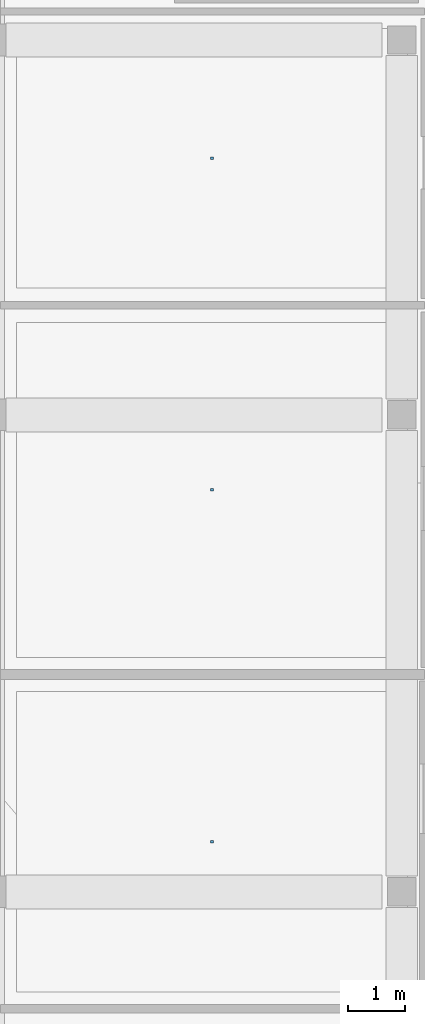
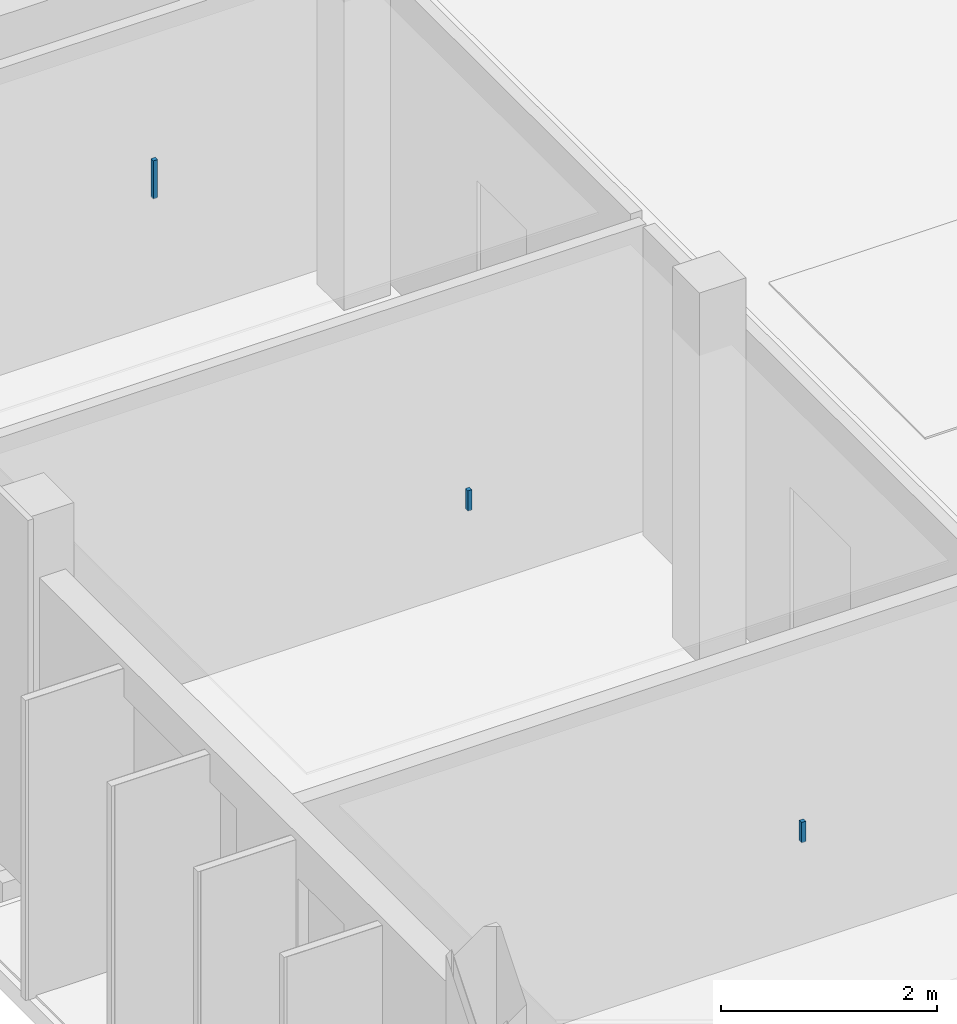
# One storey, part 61 of 85: 3 discrete accessories.
"""IFC4 building model written with IfcOpenShell, lengths in metres."""

import ifcopenshell
import ifcopenshell.guid

model = None  # the IFC model being written
_history = None  # IfcOwnerHistory: only IFC2X3 demands one
_inside = {}  # id of a spatial element -> (the spatial element, [elements in it])
_under = {}  # id of a project, library or spatial element -> (it, [spatial elements below it])
_declared = {}  # id of a project -> (the project, [libraries it declares])
_typed = {}  # id of a type object -> (the type object, [elements of that type])
_made_of = {}  # id of a material, layer set ... -> (it, [elements and type objects made of it])


def new_model(schema):
    """Start an empty IFC model of exactly this schema.

    Asked for "IFC4X3", IfcOpenShell would pick the latest addendum, in which some entities
    have other attributes; the version numbers below select the first issue.
    IFC2X3 requires an IfcOwnerHistory on every rooted entity: one is made here for all.
    """
    global model, _history
    if schema == "IFC4X3":
        model = ifcopenshell.file(schema_version=(4, 3, 0, 0))
    else:
        model = ifcopenshell.file(schema=schema)
    _inside.clear()
    _under.clear()
    _declared.clear()
    _typed.clear()
    _made_of.clear()
    _history = None
    if model.schema == "IFC2X3":
        org = make("IfcOrganization", Name="unknown")
        user = make(
            "IfcPersonAndOrganization",
            ThePerson=make("IfcPerson", FamilyName="unknown"),
            TheOrganization=org,
        )
        app = make(
            "IfcApplication",
            ApplicationDeveloper=org,
            Version="unknown",
            ApplicationFullName="unknown",
            ApplicationIdentifier="unknown",
        )
        _history = make(
            "IfcOwnerHistory",
            OwningUser=user,
            OwningApplication=app,
            ChangeAction="ADDED",
            CreationDate=0,
        )
    return model


def make(cls, **values):
    """One entity of the class cls with the attributes given. An attribute that is None is left unset."""
    return model.create_entity(
        cls, **{name: value for name, value in values.items() if value is not None}
    )


def rooted(cls, **values):
    """An entity with a GlobalId (a new one), such as an element, a storey or a relation."""
    return make(cls, GlobalId=ifcopenshell.guid.new(), OwnerHistory=_history, **values)


def si_unit(unit_type, name, prefix=None):
    """IfcSIUnit, for example si_unit("LENGTHUNIT", "METRE", prefix="MILLI")."""
    return make("IfcSIUnit", UnitType=unit_type, Prefix=prefix, Name=name)


def derived_unit(unit_type, elements):
    """IfcDerivedUnit: a product of units, each with its exponent."""
    return make(
        "IfcDerivedUnit",
        Elements=[
            make("IfcDerivedUnitElement", Unit=unit, Exponent=power)
            for unit, power in elements
        ],
        UnitType=unit_type,
    )


def assignment(units):
    """IfcUnitAssignment: the units of a project."""
    return None if units is None else make("IfcUnitAssignment", Units=units)


def point(xyz):
    """IfcCartesianPoint."""
    return None if xyz is None else make("IfcCartesianPoint", Coordinates=xyz)


def direction(xyz):
    """IfcDirection."""
    return None if xyz is None else make("IfcDirection", DirectionRatios=xyz)


def frame(location, z_axis=None, x_axis=None):
    """IfcAxis2Placement3D, a coordinate frame: its origin and axes. An axis left out is left unset."""
    return make(
        "IfcAxis2Placement3D",
        Location=point(location),
        Axis=direction(z_axis),
        RefDirection=direction(x_axis),
    )


def frame_2d(location, x_axis=None):
    """IfcAxis2Placement2D, a coordinate frame in the plane: its origin and x axis."""
    return make(
        "IfcAxis2Placement2D", Location=point(location), RefDirection=direction(x_axis)
    )


def origin():
    """The frame at (0, 0, 0) with its axes left unset."""
    return frame((0.0, 0.0, 0.0))


def origin_2d():
    """The frame at (0, 0) in the plane with its x axis left unset."""
    return frame_2d((0.0, 0.0))


def place(relative_to, where):
    """IfcLocalPlacement: puts the frame where relative to a parent placement (None: the world)."""
    return make(
        "IfcLocalPlacement", PlacementRelTo=relative_to, RelativePlacement=where
    )


def context(
    kind, dimensions, precision=None, world=None, true_north=None, identifier=None
):
    """IfcGeometricRepresentationContext, for example the 3D "Model" context."""
    return make(
        "IfcGeometricRepresentationContext",
        ContextIdentifier=identifier,
        ContextType=kind,
        CoordinateSpaceDimension=dimensions,
        Precision=precision,
        WorldCoordinateSystem=world,
        TrueNorth=true_north,
    )


def subcontext(parent, identifier, kind, view, scale=None):
    """IfcGeometricRepresentationSubContext, for example "Body" below "Model"."""
    return make(
        "IfcGeometricRepresentationSubContext",
        ContextIdentifier=identifier,
        ContextType=kind,
        ParentContext=parent,
        TargetScale=scale,
        TargetView=view,
    )


def project(units=None, contexts=None):
    """IfcProject with its units and contexts."""
    return rooted(
        "IfcProject",
        Name="project",
        RepresentationContexts=contexts,
        UnitsInContext=assignment(units),
    )


def spatial(cls, under=None, at=None, **own):
    """A site, building, storey or space (cls), placed at a placement, below another one or the project."""
    s = rooted(cls, ObjectPlacement=at, **own)
    if under is not None:
        _under.setdefault(under.id(), (under, []))[1].append(s)
    return s


def profile(cls, at=None, kind="AREA", **sizes):
    """A parametric profile (cls). Its sizes go by their IFC names, for example OverallWidth=200.0."""
    return make(cls, ProfileType=kind, Position=at, **sizes)


def rectangle(**sizes):
    """IfcRectangleProfileDef."""
    return profile("IfcRectangleProfileDef", **sizes)


def extrude(swept, where, along, depth):
    """IfcExtrudedAreaSolid: the profile swept, set in the frame where, extruded along a direction by depth."""
    return make(
        "IfcExtrudedAreaSolid",
        SweptArea=swept,
        Position=where,
        ExtrudedDirection=direction(along),
        Depth=depth,
    )


def shape(context_of_items, identifier, shape_type, items):
    """IfcShapeRepresentation: the items that make up one representation, for example the "Body"."""
    return make(
        "IfcShapeRepresentation",
        ContextOfItems=context_of_items,
        RepresentationIdentifier=identifier,
        RepresentationType=shape_type,
        Items=items,
    )


def material(Name=None, Category=None):
    """IfcMaterial."""
    return make("IfcMaterial", Name=Name, Category=Category)


def made_of(thing, what):
    """Note that an element or type object is made of a material, layer set ...; save() writes the relation."""
    if what is not None:
        _made_of.setdefault(what.id(), (what, []))[1].append(thing)
    return thing


def type_object(cls, material=None, **own):
    """A type object (cls), such as IfcWallType, which elements share."""
    return made_of(rooted(cls, **own), material)


def element(
    cls,
    number,
    at=None,
    inside=None,
    cuts=None,
    type_object=None,
    material=None,
    context=None,
    identifier="Body",
    shape_type=None,
    held_by="IfcProductDefinitionShape",
    body=None,
    shapes=None,
    **own,
):
    """One element of the class cls, such as IfcWall. Its Tag is "e" and its number.

    at: its placement. inside: the storey or other place that contains it. cuts: it is an
    opening in that element (IfcRelVoidsElement). A single representation is given by context,
    identifier, shape_type and body (its items); several are given by shapes. held_by: the class
    of the entity that holds the representations. save() writes the other relations.
    """
    e = rooted(cls, Tag="e%d" % number, ObjectPlacement=at, **own)
    if body is not None:
        shapes = [shape(context, identifier, shape_type, body)]
    if shapes is not None:
        e.Representation = make(held_by, Representations=shapes)
    if inside is not None:
        _inside.setdefault(inside.id(), (inside, []))[1].append(e)
    if cuts is not None:
        rooted(
            "IfcRelVoidsElement", RelatingBuildingElement=cuts, RelatedOpeningElement=e
        )
    if type_object is not None:
        _typed.setdefault(type_object.id(), (type_object, []))[1].append(e)
    return made_of(e, material)


def aggregate(whole, parts):
    """IfcRelAggregates: a whole, such as a stair, and the parts it consists of."""
    return rooted("IfcRelAggregates", RelatingObject=whole, RelatedObjects=parts)


def save(model, path):
    """Write the relations noted so far, then the file.

    IfcRelAggregates (storeys below a building ...), IfcRelContainedInSpatialStructure (elements
    in a storey), IfcRelDefinesByType, IfcRelAssociatesMaterial and IfcRelDeclares: one each for
    every whole, place, type object, material and project.
    """
    for whole, parts in _under.values():
        aggregate(whole, parts)
    for where, things in _inside.values():
        rooted(
            "IfcRelContainedInSpatialStructure",
            RelatedElements=things,
            RelatingStructure=where,
        )
    for kind, things in _typed.values():
        rooted("IfcRelDefinesByType", RelatedObjects=things, RelatingType=kind)
    for what, things in _made_of.values():
        rooted("IfcRelAssociatesMaterial", RelatedObjects=things, RelatingMaterial=what)
    for by, libraries in _declared.values():
        rooted("IfcRelDeclares", RelatingContext=by, RelatedDefinitions=libraries)
    model.write(path)


model = new_model("IFC4")

# Units and contexts
model_context = context("Model", 3, precision=1e-05, world=origin(), true_north=direction((0.0, 1.0)))
body_context = subcontext(model_context, "Body", "Model", "MODEL_VIEW")
ifc_project = project(units=[si_unit("LENGTHUNIT", "METRE"), si_unit("AREAUNIT", "SQUARE_METRE"), si_unit("VOLUMEUNIT", "CUBIC_METRE"), si_unit("PLANEANGLEUNIT", "RADIAN"), si_unit("MASSUNIT", "GRAM", prefix="KILO"), derived_unit("THERMALTRANSMITTANCEUNIT", [(si_unit("POWERUNIT", "WATT"), 1), (si_unit("LENGTHUNIT", "METRE"), -2), (si_unit("THERMODYNAMICTEMPERATUREUNIT", "KELVIN"), -1)])], contexts=[model_context])

# Site, building, storey
site_placement = place(None, origin())
site = spatial("IfcSite", under=ifc_project, at=site_placement, CompositionType="ELEMENT")
building_placement = place(site_placement, origin())
building = spatial("IfcBuilding", under=site, at=building_placement, Name="Braskholm Square Health Centre", CompositionType="ELEMENT")
storey_placement = place(building_placement, frame((0.0, 0.0, 9.300048828125)))
storey = spatial("IfcBuildingStorey", under=building, at=storey_placement, Name="L03", CompositionType="ELEMENT", Elevation=9.300048828125)

# Discrete accessories
ifc_material = material(Name="Steel ASTM A500 Grade C", Category="steel")
discrete_accessory_type = type_object("IfcDiscreteAccessoryType", Name="CeilingSuspensionBracket", PredefinedType="BRACKET", material=ifc_material)
for number, where, z_axis, x_axis, name in (
    (1, (8.06005859375, 73.0849609375, 3.48193359375), (0.0, 0.0, 1.0), (1.0, 0.0, 0.0), "Ceiling hanger bracket 0049"),
    (2, (8.06005859375, 79.280029296875, 3.48193359375), (0.0, 0.0, 1.0), (1.0, 0.0, 0.0), "Ceiling hanger bracket 0050"),
):
    element("IfcDiscreteAccessory", number, at=place(storey_placement, frame(where, z_axis=z_axis, x_axis=x_axis)), inside=storey, type_object=discrete_accessory_type, Name=name, PredefinedType="BRACKET", context=body_context, shape_type="SweptSolid", body=[
        extrude(rectangle(XDim=0.044921875, YDim=0.044921875, at=origin_2d()), origin(), (0.0, 0.0, 1.0), 0.22998046875),
    ])
discrete_accessory_placement = place(storey_placement, frame((8.06005859375, 85.114990234375, 3.48193359375), z_axis=(0.0, 0.0, 1.0), x_axis=(1.0, 0.0, 0.0)))
element("IfcDiscreteAccessory", 3, at=discrete_accessory_placement, inside=storey, type_object=discrete_accessory_type, Name="Ceiling hanger bracket 0051", PredefinedType="BRACKET", context=body_context, shape_type="SweptSolid", body=[
    extrude(rectangle(XDim=0.044921875, YDim=0.044921875, at=origin_2d()), origin(), (0.0, 0.0, 1.0), 0.429931640625),
])

save(model, "model.ifc")
